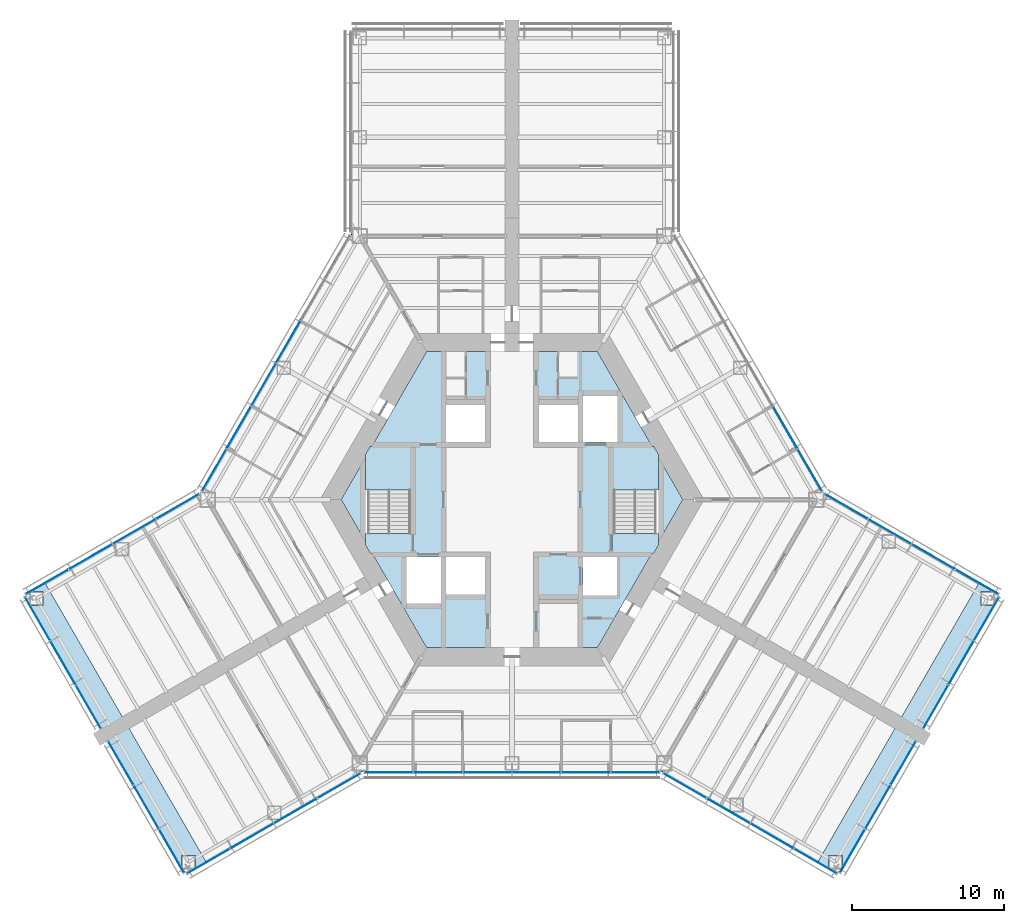
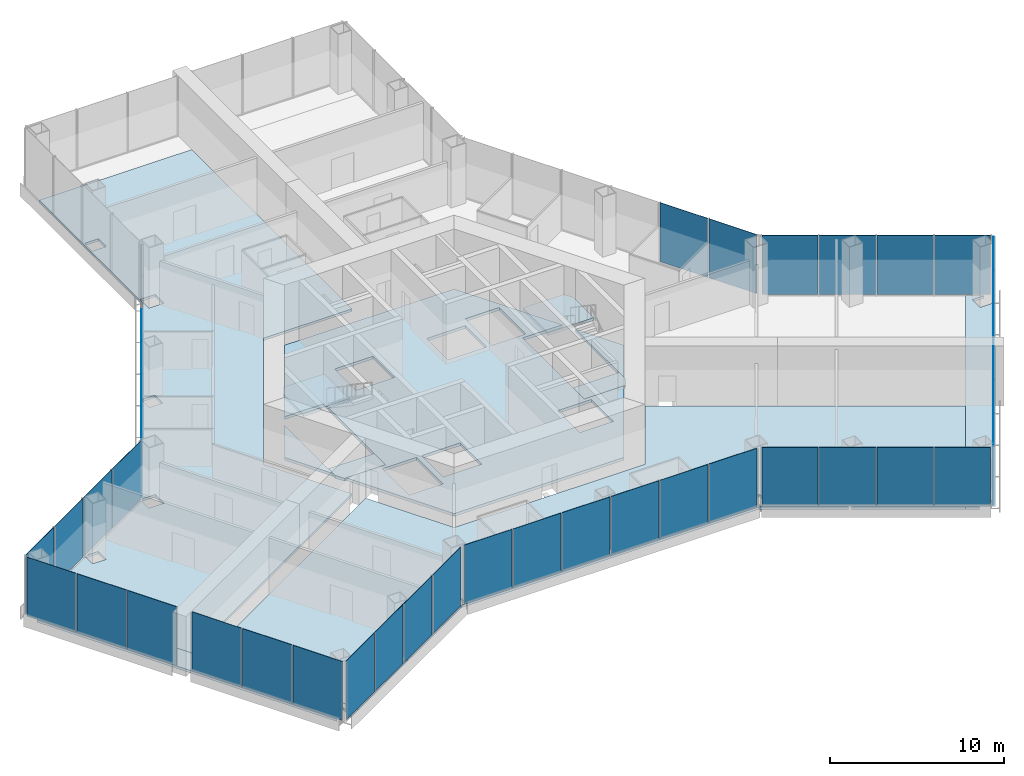
# One storey, part 9 of 17: 40 plates, 11 slabs, 13 elements without a shape of their own.
"""IFC4 building model written with IfcOpenShell, lengths in metres."""

from ifc_helpers import new_model, si_unit, direction, frame, origin, origin_2d, place, context, subcontext, project, spatial, polyline, rectangle, outline, extrude, material, layer, layer_set, type_object, element, aggregate, save


model = new_model("IFC4")

# Units and contexts
model_context = context("Model", 3, precision=1e-05, world=origin(), true_north=direction((0.0, 1.0)))
body_context = subcontext(model_context, "Body", "Model", "MODEL_VIEW")
ifc_project = project(units=[si_unit("LENGTHUNIT", "METRE"), si_unit("AREAUNIT", "SQUARE_METRE"), si_unit("VOLUMEUNIT", "CUBIC_METRE"), si_unit("PLANEANGLEUNIT", "RADIAN"), si_unit("MASSUNIT", "GRAM", prefix="KILO")], contexts=[model_context])

# Site, building, storey
site_placement = place(None, origin())
site = spatial("IfcSite", under=ifc_project, at=site_placement, CompositionType="ELEMENT")
building_placement = place(site_placement, origin())
building = spatial("IfcBuilding", under=site, at=building_placement, Name="Kasaneha Research Tower", CompositionType="ELEMENT")
storey_placement = place(building_placement, frame((0.0, 0.0, 47.800048828125)))
storey = spatial("IfcBuildingStorey", under=building, at=storey_placement, Name="L12", CompositionType="ELEMENT", Elevation=47.800048828125)

# Curtain wall, plates
ifc_material_1 = material(Name="Glass and aluminium", Category="aluminium")
curtain_wall_type = type_object("IfcCurtainWallType", Name="Dry laboratory curtain wall", PredefinedType="USERDEFINED", material=ifc_material_1)
curtain_wall_1_placement = place(storey_placement, origin())
curtain_wall_1 = element("IfcCurtainWall", 1, at=curtain_wall_1_placement, inside=storey, type_object=curtain_wall_type, Name="CW-L2 L12 run 01a", ObjectType="UNITISED CURTAIN WALL", PredefinedType="USERDEFINED")
ifc_material_2 = material(Name="Laminated double glazing", Category="glass")
ifc_layer_1 = layer(ifc_material_2, 0.028076171875)
ifc_layer_set_1 = layer_set([ifc_layer_1], Name="CW-L2 glazed panel")
plate_type = type_object("IfcPlateType", Name="CW-L2 glazed panel", PredefinedType="CURTAIN_PANEL", material=ifc_layer_set_1)
plate_1_placement = place(storey_placement, frame((-19.944091796875, -23.754638671875, 0.06494140625), z_axis=(0.0, 0.0, 1.0), x_axis=(0.866025411464, 0.499999986699, 0.0)))
plate_1 = element("IfcPlate", 2, at=plate_1_placement, type_object=plate_type, Name="CW-L2 panel 1", PredefinedType="CURTAIN_PANEL", context=body_context, shape_type="SweptSolid", body=[
    extrude(rectangle(XDim=3.21240234375, YDim=0.028076171875, at=origin_2d()), origin(), (0.0, 0.0, 1.0), 4.135009765625),
])
plate_2_placement = place(storey_placement, frame((-17.091796875, -22.107666015625, 0.06494140625), z_axis=(0.0, 0.0, 1.0), x_axis=(0.866025411464, 0.499999986699, 0.0)))
plate_2 = element("IfcPlate", 3, at=plate_2_placement, type_object=plate_type, Name="CW-L2 panel 2", PredefinedType="CURTAIN_PANEL", context=body_context, shape_type="SweptSolid", body=[
    extrude(rectangle(XDim=3.244873046875, YDim=0.028076171875, at=origin_2d()), origin(), (0.0, 0.0, 1.0), 4.135009765625),
])
plate_3_placement = place(storey_placement, frame((-14.225341796875, -20.452880859375, 0.06494140625), z_axis=(0.0, 0.0, 1.0), x_axis=(0.866025411464, 0.499999986699, 0.0)))
plate_3 = element("IfcPlate", 4, at=plate_3_placement, type_object=plate_type, Name="CW-L2 panel 3", PredefinedType="CURTAIN_PANEL", context=body_context, shape_type="SweptSolid", body=[
    extrude(rectangle(XDim=3.244873046875, YDim=0.028076171875, at=origin_2d()), origin(), (0.0, 0.0, 1.0), 4.135009765625),
])
plate_4_placement = place(storey_placement, frame((-11.373046875, -18.80615234375, 0.06494140625), z_axis=(0.0, 0.0, 1.0), x_axis=(0.866025411464, 0.499999986699, 0.0)))
plate_4 = element("IfcPlate", 5, at=plate_4_placement, type_object=plate_type, Name="CW-L2 panel 4", PredefinedType="CURTAIN_PANEL", context=body_context, shape_type="SweptSolid", body=[
    extrude(rectangle(XDim=3.21240234375, YDim=0.028076171875, at=origin_2d()), origin(), (0.0, 0.0, 1.0), 4.135009765625),
])
aggregate(curtain_wall_1, [plate_1, plate_2, plate_3, plate_4])

curtain_wall_2_placement = place(storey_placement, origin())
curtain_wall_2 = element("IfcCurtainWall", 6, at=curtain_wall_2_placement, inside=storey, type_object=curtain_wall_type, Name="CW-L2 L12 run 02a", ObjectType="UNITISED CURTAIN WALL", PredefinedType="USERDEFINED")
plate_5_placement = place(storey_placement, frame((-8.099853515625, -17.92041015625, 0.06494140625), z_axis=(0.0, 0.0, 1.0), x_axis=(1.0, 0.0, 0.0)))
plate_5 = element("IfcPlate", 7, at=plate_5_placement, type_object=plate_type, Name="CW-L2 panel 1", PredefinedType="CURTAIN_PANEL", context=body_context, shape_type="SweptSolid", body=[
    extrude(rectangle(XDim=3.14892578125, YDim=0.028076171875, at=origin_2d()), origin(), (0.0, 0.0, 1.0), 4.135009765625),
])
plate_6_placement = place(storey_placement, frame((-4.86962890625, -17.92041015625, 0.06494140625), z_axis=(0.0, 0.0, 1.0), x_axis=(1.0, 0.0, 0.0)))
plate_6 = element("IfcPlate", 8, at=plate_6_placement, type_object=plate_type, Name="CW-L2 panel 2", PredefinedType="CURTAIN_PANEL", context=body_context, shape_type="SweptSolid", body=[
    extrude(rectangle(XDim=3.181396484375, YDim=0.028076171875, at=origin_2d()), origin(), (0.0, 0.0, 1.0), 4.135009765625),
])
plate_7_placement = place(storey_placement, frame((-1.623291015625, -17.92041015625, 0.06494140625), z_axis=(0.0, 0.0, 1.0), x_axis=(1.0, 0.0, 0.0)))
plate_7 = element("IfcPlate", 9, at=plate_7_placement, type_object=plate_type, Name="CW-L2 panel 3", PredefinedType="CURTAIN_PANEL", context=body_context, shape_type="SweptSolid", body=[
    extrude(rectangle(XDim=3.181396484375, YDim=0.028076171875, at=origin_2d()), origin(), (0.0, 0.0, 1.0), 4.135009765625),
])
plate_8_placement = place(storey_placement, frame((1.623291015625, -17.92041015625, 0.06494140625), z_axis=(0.0, 0.0, 1.0), x_axis=(1.0, 0.0, 0.0)))
plate_8 = element("IfcPlate", 10, at=plate_8_placement, type_object=plate_type, Name="CW-L2 panel 4", PredefinedType="CURTAIN_PANEL", context=body_context, shape_type="SweptSolid", body=[
    extrude(rectangle(XDim=3.181396484375, YDim=0.028076171875, at=origin_2d()), origin(), (0.0, 0.0, 1.0), 4.135009765625),
])
plate_9_placement = place(storey_placement, frame((4.86962890625, -17.92041015625, 0.06494140625), z_axis=(0.0, 0.0, 1.0), x_axis=(1.0, 0.0, 0.0)))
plate_9 = element("IfcPlate", 11, at=plate_9_placement, type_object=plate_type, Name="CW-L2 panel 5", PredefinedType="CURTAIN_PANEL", context=body_context, shape_type="SweptSolid", body=[
    extrude(rectangle(XDim=3.181396484375, YDim=0.028076171875, at=origin_2d()), origin(), (0.0, 0.0, 1.0), 4.135009765625),
])
plate_10_placement = place(storey_placement, frame((8.099853515625, -17.92041015625, 0.06494140625), z_axis=(0.0, 0.0, 1.0), x_axis=(1.0, 0.0, 0.0)))
plate_10 = element("IfcPlate", 12, at=plate_10_placement, type_object=plate_type, Name="CW-L2 panel 6", PredefinedType="CURTAIN_PANEL", context=body_context, shape_type="SweptSolid", body=[
    extrude(rectangle(XDim=3.14892578125, YDim=0.028076171875, at=origin_2d()), origin(), (0.0, 0.0, 1.0), 4.135009765625),
])
aggregate(curtain_wall_2, [plate_5, plate_6, plate_7, plate_8, plate_9, plate_10])

curtain_wall_3_placement = place(storey_placement, origin())
curtain_wall_3 = element("IfcCurtainWall", 13, at=curtain_wall_3_placement, inside=storey, type_object=curtain_wall_type, Name="CW-L2 L12 run 03a", ObjectType="UNITISED CURTAIN WALL", PredefinedType="USERDEFINED")
plate_11_placement = place(storey_placement, frame((11.373046875, -18.80615234375, 0.06494140625), z_axis=(0.0, 0.0, 1.0), x_axis=(0.866025411464, -0.499999986699, 0.0)))
plate_11 = element("IfcPlate", 14, at=plate_11_placement, type_object=plate_type, Name="CW-L2 panel 1", PredefinedType="CURTAIN_PANEL", context=body_context, shape_type="SweptSolid", body=[
    extrude(rectangle(XDim=3.21240234375, YDim=0.028076171875, at=origin_2d()), origin(), (0.0, 0.0, 1.0), 4.135009765625),
])
plate_12_placement = place(storey_placement, frame((14.225341796875, -20.452880859375, 0.06494140625), z_axis=(0.0, 0.0, 1.0), x_axis=(0.866025411464, -0.499999986699, 0.0)))
plate_12 = element("IfcPlate", 15, at=plate_12_placement, type_object=plate_type, Name="CW-L2 panel 2", PredefinedType="CURTAIN_PANEL", context=body_context, shape_type="SweptSolid", body=[
    extrude(rectangle(XDim=3.244873046875, YDim=0.028076171875, at=origin_2d()), origin(), (0.0, 0.0, 1.0), 4.135009765625),
])
plate_13_placement = place(storey_placement, frame((17.091796875, -22.107666015625, 0.06494140625), z_axis=(0.0, 0.0, 1.0), x_axis=(0.866025411464, -0.499999986699, 0.0)))
plate_13 = element("IfcPlate", 16, at=plate_13_placement, type_object=plate_type, Name="CW-L2 panel 3", PredefinedType="CURTAIN_PANEL", context=body_context, shape_type="SweptSolid", body=[
    extrude(rectangle(XDim=3.244873046875, YDim=0.028076171875, at=origin_2d()), origin(), (0.0, 0.0, 1.0), 4.135009765625),
])
plate_14_placement = place(storey_placement, frame((19.944091796875, -23.754638671875, 0.06494140625), z_axis=(0.0, 0.0, 1.0), x_axis=(0.866025411464, -0.499999986699, 0.0)))
plate_14 = element("IfcPlate", 17, at=plate_14_placement, type_object=plate_type, Name="CW-L2 panel 4", PredefinedType="CURTAIN_PANEL", context=body_context, shape_type="SweptSolid", body=[
    extrude(rectangle(XDim=3.21240234375, YDim=0.028076171875, at=origin_2d()), origin(), (0.0, 0.0, 1.0), 4.135009765625),
])
aggregate(curtain_wall_3, [plate_11, plate_12, plate_13, plate_14])

curtain_wall_4_placement = place(storey_placement, origin())
curtain_wall_4 = element("IfcCurtainWall", 18, at=curtain_wall_4_placement, inside=storey, type_object=curtain_wall_type, Name="CW-L2 L12 run 04a", ObjectType="UNITISED CURTAIN WALL", PredefinedType="USERDEFINED")
plate_15_placement = place(storey_placement, frame((22.37353515625, -23.0888671875, 0.06494140625), z_axis=(0.0, 0.0, 1.0), x_axis=(0.500000011442, 0.866025397178, 0.0)))
plate_15 = element("IfcPlate", 19, at=plate_15_placement, type_object=plate_type, Name="CW-L2 panel 1", PredefinedType="CURTAIN_PANEL", context=body_context, shape_type="SweptSolid", body=[
    extrude(rectangle(XDim=3.25244140625, YDim=0.028076171875, at=origin_2d()), origin(), (0.0, 0.0, 1.0), 4.135009765625),
])
plate_16_placement = place(storey_placement, frame((24.04052734375, -20.20166015625, 0.06494140625), z_axis=(0.0, 0.0, 1.0), x_axis=(0.500000011442, 0.866025397178, 0.0)))
plate_16 = element("IfcPlate", 20, at=plate_16_placement, type_object=plate_type, Name="CW-L2 panel 2", PredefinedType="CURTAIN_PANEL", context=body_context, shape_type="SweptSolid", body=[
    extrude(rectangle(XDim=3.284912109375, YDim=0.028076171875, at=origin_2d()), origin(), (0.0, 0.0, 1.0), 4.135009765625),
])
plate_17_placement = place(storey_placement, frame((25.707275390625, -17.314697265625, 0.06494140625), z_axis=(0.0, 0.0, 1.0), x_axis=(0.500000011442, 0.866025397178, 0.0)))
plate_17 = element("IfcPlate", 21, at=plate_17_placement, type_object=plate_type, Name="CW-L2 panel 3", PredefinedType="CURTAIN_PANEL", context=body_context, shape_type="SweptSolid", body=[
    extrude(rectangle(XDim=3.25244140625, YDim=0.028076171875, at=origin_2d()), origin(), (0.0, 0.0, 1.0), 4.135009765625),
])
aggregate(curtain_wall_4, [plate_15, plate_16, plate_17])

curtain_wall_5_placement = place(storey_placement, origin())
curtain_wall_5 = element("IfcCurtainWall", 22, at=curtain_wall_5_placement, inside=storey, type_object=curtain_wall_type, Name="CW-L2 L12 run 05a", ObjectType="UNITISED CURTAIN WALL", PredefinedType="USERDEFINED")
plate_18_placement = place(storey_placement, frame((27.8486328125, -13.60595703125, 0.06494140625), z_axis=(0.0, 0.0, 1.0), x_axis=(0.500000011442, 0.866025397178, 0.0)))
plate_18 = element("IfcPlate", 23, at=plate_18_placement, type_object=plate_type, Name="CW-L2 panel 1", PredefinedType="CURTAIN_PANEL", context=body_context, shape_type="SweptSolid", body=[
    extrude(rectangle(XDim=3.25244140625, YDim=0.028076171875, at=origin_2d()), origin(), (0.0, 0.0, 1.0), 4.135009765625),
])
plate_19_placement = place(storey_placement, frame((29.515380859375, -10.71875, 0.06494140625), z_axis=(0.0, 0.0, 1.0), x_axis=(0.500000011442, 0.866025397178, 0.0)))
plate_19 = element("IfcPlate", 24, at=plate_19_placement, type_object=plate_type, Name="CW-L2 panel 2", PredefinedType="CURTAIN_PANEL", context=body_context, shape_type="SweptSolid", body=[
    extrude(rectangle(XDim=3.284912109375, YDim=0.028076171875, at=origin_2d()), origin(), (0.0, 0.0, 1.0), 4.135009765625),
])
plate_20_placement = place(storey_placement, frame((31.182373046875, -7.83154296875, 0.06494140625), z_axis=(0.0, 0.0, 1.0), x_axis=(0.500000011442, 0.866025397178, 0.0)))
plate_20 = element("IfcPlate", 25, at=plate_20_placement, type_object=plate_type, Name="CW-L2 panel 3", PredefinedType="CURTAIN_PANEL", context=body_context, shape_type="SweptSolid", body=[
    extrude(rectangle(XDim=3.25244140625, YDim=0.028076171875, at=origin_2d()), origin(), (0.0, 0.0, 1.0), 4.135009765625),
])
aggregate(curtain_wall_5, [plate_18, plate_19, plate_20])

curtain_wall_6_placement = place(storey_placement, origin())
curtain_wall_6 = element("IfcCurtainWall", 26, at=curtain_wall_6_placement, inside=storey, type_object=curtain_wall_type, Name="CW-L2 L12 run 06a", ObjectType="UNITISED CURTAIN WALL", PredefinedType="USERDEFINED")
plate_21_placement = place(storey_placement, frame((30.544189453125, -5.394775390625, 0.06494140625), z_axis=(0.0, 0.0, 1.0), x_axis=(-0.866025411464, 0.499999986699, 0.0)))
plate_21 = element("IfcPlate", 27, at=plate_21_placement, type_object=plate_type, Name="CW-L2 panel 1", PredefinedType="CURTAIN_PANEL", context=body_context, shape_type="SweptSolid", body=[
    extrude(rectangle(XDim=3.21240234375, YDim=0.028076171875, at=origin_2d()), origin(), (0.0, 0.0, 1.0), 4.135009765625),
])
plate_22_placement = place(storey_placement, frame((27.69189453125, -3.748046875, 0.06494140625), z_axis=(0.0, 0.0, 1.0), x_axis=(-0.866025411464, 0.499999986699, 0.0)))
plate_22 = element("IfcPlate", 28, at=plate_22_placement, type_object=plate_type, Name="CW-L2 panel 2", PredefinedType="CURTAIN_PANEL", context=body_context, shape_type="SweptSolid", body=[
    extrude(rectangle(XDim=3.244873046875, YDim=0.028076171875, at=origin_2d()), origin(), (0.0, 0.0, 1.0), 4.135009765625),
])
plate_23_placement = place(storey_placement, frame((24.825439453125, -2.093017578125, 0.06494140625), z_axis=(0.0, 0.0, 1.0), x_axis=(-0.866025411464, 0.499999986699, 0.0)))
plate_23 = element("IfcPlate", 29, at=plate_23_placement, type_object=plate_type, Name="CW-L2 panel 3", PredefinedType="CURTAIN_PANEL", context=body_context, shape_type="SweptSolid", body=[
    extrude(rectangle(XDim=3.244873046875, YDim=0.028076171875, at=origin_2d()), origin(), (0.0, 0.0, 1.0), 4.135009765625),
])
plate_24_placement = place(storey_placement, frame((21.97314453125, -0.4462890625, 0.06494140625), z_axis=(0.0, 0.0, 1.0), x_axis=(-0.866025411464, 0.499999986699, 0.0)))
plate_24 = element("IfcPlate", 30, at=plate_24_placement, type_object=plate_type, Name="CW-L2 panel 4", PredefinedType="CURTAIN_PANEL", context=body_context, shape_type="SweptSolid", body=[
    extrude(rectangle(XDim=3.21240234375, YDim=0.028076171875, at=origin_2d()), origin(), (0.0, 0.0, 1.0), 4.135009765625),
])
aggregate(curtain_wall_6, [plate_21, plate_22, plate_23, plate_24])

curtain_wall_7_placement = place(storey_placement, origin())
curtain_wall_7 = element("IfcCurtainWall", 31, at=curtain_wall_7_placement, inside=storey, type_object=curtain_wall_type, Name="CW-L2 L12 run 07a", ObjectType="UNITISED CURTAIN WALL", PredefinedType="USERDEFINED")
plate_25_placement = place(storey_placement, frame((19.569580078125, 1.945556640625, 0.06494140625), z_axis=(0.0, 0.0, 1.0), x_axis=(-0.49999996188, 0.866025425793, 0.0)))
plate_25 = element("IfcPlate", 32, at=plate_25_placement, type_object=plate_type, Name="CW-L2 panel 1", PredefinedType="CURTAIN_PANEL", context=body_context, shape_type="SweptSolid", body=[
    extrude(rectangle(XDim=3.14892578125, YDim=0.028076171875, at=origin_2d()), origin(), (0.0, 0.0, 1.0), 4.135009765625),
])
plate_26_placement = place(storey_placement, frame((17.954345703125, 4.7431640625, 0.06494140625), z_axis=(0.0, 0.0, 1.0), x_axis=(-0.49999996188, 0.866025425793, 0.0)))
plate_26 = element("IfcPlate", 33, at=plate_26_placement, type_object=plate_type, Name="CW-L2 panel 2", PredefinedType="CURTAIN_PANEL", context=body_context, shape_type="SweptSolid", body=[
    extrude(rectangle(XDim=3.181396484375, YDim=0.028076171875, at=origin_2d()), origin(), (0.0, 0.0, 1.0), 4.135009765625),
])
aggregate(curtain_wall_7, [plate_25, plate_26])

curtain_wall_8_placement = place(storey_placement, origin())
curtain_wall_8 = element("IfcCurtainWall", 34, at=curtain_wall_8_placement, inside=storey, type_object=curtain_wall_type, Name="CW-L2 L12 run 12a", ObjectType="UNITISED CURTAIN WALL", PredefinedType="USERDEFINED")
plate_27_placement = place(storey_placement, frame((-14.7080078125, 10.365966796875, 0.06494140625), z_axis=(0.0, 0.0, 1.0), x_axis=(-0.49999996188, -0.866025425793, 0.0)))
plate_27 = element("IfcPlate", 35, at=plate_27_placement, type_object=plate_type, Name="CW-L2 panel 3", PredefinedType="CURTAIN_PANEL", context=body_context, shape_type="SweptSolid", body=[
    extrude(rectangle(XDim=3.181396484375, YDim=0.028076171875, at=origin_2d()), origin(), (0.0, 0.0, 1.0), 4.135009765625),
])
plate_28_placement = place(storey_placement, frame((-16.331298828125, 7.554443359375, 0.06494140625), z_axis=(0.0, 0.0, 1.0), x_axis=(-0.49999996188, -0.866025425793, 0.0)))
plate_28 = element("IfcPlate", 36, at=plate_28_placement, type_object=plate_type, Name="CW-L2 panel 4", PredefinedType="CURTAIN_PANEL", context=body_context, shape_type="SweptSolid", body=[
    extrude(rectangle(XDim=3.181396484375, YDim=0.028076171875, at=origin_2d()), origin(), (0.0, 0.0, 1.0), 4.135009765625),
])
plate_29_placement = place(storey_placement, frame((-17.954345703125, 4.7431640625, 0.06494140625), z_axis=(0.0, 0.0, 1.0), x_axis=(-0.49999996188, -0.866025425793, 0.0)))
plate_29 = element("IfcPlate", 37, at=plate_29_placement, type_object=plate_type, Name="CW-L2 panel 5", PredefinedType="CURTAIN_PANEL", context=body_context, shape_type="SweptSolid", body=[
    extrude(rectangle(XDim=3.181396484375, YDim=0.028076171875, at=origin_2d()), origin(), (0.0, 0.0, 1.0), 4.135009765625),
])
plate_30_placement = place(storey_placement, frame((-19.569580078125, 1.945556640625, 0.06494140625), z_axis=(0.0, 0.0, 1.0), x_axis=(-0.49999996188, -0.866025425793, 0.0)))
plate_30 = element("IfcPlate", 38, at=plate_30_placement, type_object=plate_type, Name="CW-L2 panel 6", PredefinedType="CURTAIN_PANEL", context=body_context, shape_type="SweptSolid", body=[
    extrude(rectangle(XDim=3.14892578125, YDim=0.028076171875, at=origin_2d()), origin(), (0.0, 0.0, 1.0), 4.135009765625),
])
aggregate(curtain_wall_8, [plate_27, plate_28, plate_29, plate_30])

curtain_wall_9_placement = place(storey_placement, origin())
curtain_wall_9 = element("IfcCurtainWall", 39, at=curtain_wall_9_placement, inside=storey, type_object=curtain_wall_type, Name="CW-L2 L12 run 13a", ObjectType="UNITISED CURTAIN WALL", PredefinedType="USERDEFINED")
plate_31_placement = place(storey_placement, frame((-21.97314453125, -0.4462890625, 0.06494140625), z_axis=(0.0, 0.0, 1.0), x_axis=(-0.866025411464, -0.499999986699, 0.0)))
plate_31 = element("IfcPlate", 40, at=plate_31_placement, type_object=plate_type, Name="CW-L2 panel 1", PredefinedType="CURTAIN_PANEL", context=body_context, shape_type="SweptSolid", body=[
    extrude(rectangle(XDim=3.21240234375, YDim=0.028076171875, at=origin_2d()), origin(), (0.0, 0.0, 1.0), 4.135009765625),
])
plate_32_placement = place(storey_placement, frame((-24.825439453125, -2.093017578125, 0.06494140625), z_axis=(0.0, 0.0, 1.0), x_axis=(-0.866025411464, -0.499999986699, 0.0)))
plate_32 = element("IfcPlate", 41, at=plate_32_placement, type_object=plate_type, Name="CW-L2 panel 2", PredefinedType="CURTAIN_PANEL", context=body_context, shape_type="SweptSolid", body=[
    extrude(rectangle(XDim=3.244873046875, YDim=0.028076171875, at=origin_2d()), origin(), (0.0, 0.0, 1.0), 4.135009765625),
])
plate_33_placement = place(storey_placement, frame((-27.69189453125, -3.748046875, 0.06494140625), z_axis=(0.0, 0.0, 1.0), x_axis=(-0.866025411464, -0.499999986699, 0.0)))
plate_33 = element("IfcPlate", 42, at=plate_33_placement, type_object=plate_type, Name="CW-L2 panel 3", PredefinedType="CURTAIN_PANEL", context=body_context, shape_type="SweptSolid", body=[
    extrude(rectangle(XDim=3.244873046875, YDim=0.028076171875, at=origin_2d()), origin(), (0.0, 0.0, 1.0), 4.135009765625),
])
plate_34_placement = place(storey_placement, frame((-30.544189453125, -5.394775390625, 0.06494140625), z_axis=(0.0, 0.0, 1.0), x_axis=(-0.866025411464, -0.499999986699, 0.0)))
plate_34 = element("IfcPlate", 43, at=plate_34_placement, type_object=plate_type, Name="CW-L2 panel 4", PredefinedType="CURTAIN_PANEL", context=body_context, shape_type="SweptSolid", body=[
    extrude(rectangle(XDim=3.21240234375, YDim=0.028076171875, at=origin_2d()), origin(), (0.0, 0.0, 1.0), 4.135009765625),
])
aggregate(curtain_wall_9, [plate_31, plate_32, plate_33, plate_34])

curtain_wall_10_placement = place(storey_placement, origin())
curtain_wall_10 = element("IfcCurtainWall", 44, at=curtain_wall_10_placement, inside=storey, type_object=curtain_wall_type, Name="CW-L2 L12 run 14a", ObjectType="UNITISED CURTAIN WALL", PredefinedType="USERDEFINED")
plate_35_placement = place(storey_placement, frame((-31.182373046875, -7.83154296875, 0.06494140625), z_axis=(0.0, 0.0, 1.0), x_axis=(0.500000011442, -0.866025397178, 0.0)))
plate_35 = element("IfcPlate", 45, at=plate_35_placement, type_object=plate_type, Name="CW-L2 panel 1", PredefinedType="CURTAIN_PANEL", context=body_context, shape_type="SweptSolid", body=[
    extrude(rectangle(XDim=3.25244140625, YDim=0.028076171875, at=origin_2d()), origin(), (0.0, 0.0, 1.0), 4.135009765625),
])
plate_36_placement = place(storey_placement, frame((-29.515380859375, -10.71875, 0.06494140625), z_axis=(0.0, 0.0, 1.0), x_axis=(0.500000011442, -0.866025397178, 0.0)))
plate_36 = element("IfcPlate", 46, at=plate_36_placement, type_object=plate_type, Name="CW-L2 panel 2", PredefinedType="CURTAIN_PANEL", context=body_context, shape_type="SweptSolid", body=[
    extrude(rectangle(XDim=3.284912109375, YDim=0.028076171875, at=origin_2d()), origin(), (0.0, 0.0, 1.0), 4.135009765625),
])
plate_37_placement = place(storey_placement, frame((-27.8486328125, -13.60595703125, 0.06494140625), z_axis=(0.0, 0.0, 1.0), x_axis=(0.500000011442, -0.866025397178, 0.0)))
plate_37 = element("IfcPlate", 47, at=plate_37_placement, type_object=plate_type, Name="CW-L2 panel 3", PredefinedType="CURTAIN_PANEL", context=body_context, shape_type="SweptSolid", body=[
    extrude(rectangle(XDim=3.25244140625, YDim=0.028076171875, at=origin_2d()), origin(), (0.0, 0.0, 1.0), 4.135009765625),
])
aggregate(curtain_wall_10, [plate_35, plate_36, plate_37])

curtain_wall_11_placement = place(storey_placement, origin())
curtain_wall_11 = element("IfcCurtainWall", 48, at=curtain_wall_11_placement, inside=storey, type_object=curtain_wall_type, Name="CW-L2 L12 run 15a", ObjectType="UNITISED CURTAIN WALL", PredefinedType="USERDEFINED")
plate_38_placement = place(storey_placement, frame((-25.707275390625, -17.314697265625, 0.06494140625), z_axis=(0.0, 0.0, 1.0), x_axis=(0.500000011442, -0.866025397178, 0.0)))
plate_38 = element("IfcPlate", 49, at=plate_38_placement, type_object=plate_type, Name="CW-L2 panel 1", PredefinedType="CURTAIN_PANEL", context=body_context, shape_type="SweptSolid", body=[
    extrude(rectangle(XDim=3.25244140625, YDim=0.028076171875, at=origin_2d()), origin(), (0.0, 0.0, 1.0), 4.135009765625),
])
plate_39_placement = place(storey_placement, frame((-24.04052734375, -20.20166015625, 0.06494140625), z_axis=(0.0, 0.0, 1.0), x_axis=(0.500000011442, -0.866025397178, 0.0)))
plate_39 = element("IfcPlate", 50, at=plate_39_placement, type_object=plate_type, Name="CW-L2 panel 2", PredefinedType="CURTAIN_PANEL", context=body_context, shape_type="SweptSolid", body=[
    extrude(rectangle(XDim=3.284912109375, YDim=0.028076171875, at=origin_2d()), origin(), (0.0, 0.0, 1.0), 4.135009765625),
])
plate_40_placement = place(storey_placement, frame((-22.37353515625, -23.0888671875, 0.06494140625), z_axis=(0.0, 0.0, 1.0), x_axis=(0.500000011442, -0.866025397178, 0.0)))
plate_40 = element("IfcPlate", 51, at=plate_40_placement, type_object=plate_type, Name="CW-L2 panel 3", PredefinedType="CURTAIN_PANEL", context=body_context, shape_type="SweptSolid", body=[
    extrude(rectangle(XDim=3.25244140625, YDim=0.028076171875, at=origin_2d()), origin(), (0.0, 0.0, 1.0), 4.135009765625),
])
aggregate(curtain_wall_11, [plate_38, plate_39, plate_40])

# Slabs
ifc_material_3 = material(Name="Concrete Fc24", Category="concrete")
ifc_layer_2 = layer(ifc_material_3, 0.199951171875)
ifc_layer_set_2 = layer_set([ifc_layer_2], Name="Core floor slab 200")
slab_type_1 = type_object("IfcSlabType", Name="Core floor slab 200", PredefinedType="FLOOR", material=ifc_layer_set_2)
slab_1_placement = place(storey_placement, frame((0.0, 0.0, -0.199951171875)))
element("IfcSlab", 52, at=slab_1_placement, inside=storey, type_object=slab_type_1, Name="Core slab L12", PredefinedType="FLOOR", context=body_context, shape_type="SweptSolid", body=[
    extrude(outline(polyline([(-11.2294921875, 0.0), (-9.625, 2.779052734375), (-9.625, -2.779052734375), (-11.2294921875, 0.0)])), origin(), (0.0, 0.0, 1.0), 0.199951171875),
])
slab_2_placement = place(storey_placement, frame((0.0, 0.0, -0.199951171875)))
element("IfcSlab", 53, at=slab_2_placement, inside=storey, type_object=slab_type_1, Name="Core slab L12", PredefinedType="FLOOR", context=body_context, shape_type="SweptSolid", body=[
    extrude(outline(polyline([(-5.61474609375, 9.72509765625), (5.61474609375, 9.72509765625), (9.1943359375, 3.52490234375), (6.574951171875, 3.52490234375), (6.574951171875, -3.52490234375), (9.1943359375, -3.52490234375), (5.61474609375, -9.72509765625), (-5.61474609375, -9.72509765625), (-9.1943359375, -3.52490234375), (-6.574951171875, -3.52490234375), (-6.574951171875, 3.52490234375), (-9.1943359375, 3.52490234375), (-5.61474609375, 9.72509765625)]), holes=[polyline([(-6.925048828125, -3.77490234375), (-6.925048828125, -6.824951171875), (-4.675048828125, -6.824951171875), (-4.675048828125, -3.77490234375), (-6.925048828125, -3.77490234375)]), polyline([(4.675048828125, -3.77490234375), (4.675048828125, -6.300048828125), (6.89990234375, -6.300048828125), (6.89990234375, -3.77490234375), (4.675048828125, -3.77490234375)]), polyline([(-4.324951171875, -3.77490234375), (-4.324951171875, -6.22509765625), (-1.77490234375, -6.22509765625), (-1.77490234375, -3.77490234375), (-4.324951171875, -3.77490234375)]), polyline([(-4.324951171875, 6.22509765625), (-4.324951171875, 3.77490234375), (-1.77490234375, 3.77490234375), (-1.77490234375, 6.22509765625), (-4.324951171875, 6.22509765625)]), polyline([(1.77490234375, 6.22509765625), (1.77490234375, 3.77490234375), (4.324951171875, 3.77490234375), (4.324951171875, 6.22509765625), (1.77490234375, 6.22509765625)]), polyline([(4.675048828125, 6.824951171875), (4.675048828125, 3.77490234375), (6.925048828125, 3.77490234375), (6.925048828125, 6.824951171875), (4.675048828125, 6.824951171875)])]), origin(), (0.0, 0.0, 1.0), 0.199951171875),
])
slab_3_placement = place(storey_placement, frame((0.0, 0.0, -0.199951171875)))
element("IfcSlab", 54, at=slab_3_placement, inside=storey, type_object=slab_type_1, Name="Core slab L12", PredefinedType="FLOOR", context=body_context, shape_type="SweptSolid", body=[
    extrude(outline(polyline([(11.2294921875, 0.0), (9.625, -2.779052734375), (9.625, 2.779052734375), (11.2294921875, 0.0)])), origin(), (0.0, 0.0, 1.0), 0.199951171875),
])
ifc_material_4 = material(Name="Concrete Fc24", Category="concrete")
ifc_layer_3 = layer(ifc_material_4, 0.169921875)
ifc_layer_set_3 = layer_set([ifc_layer_3], Name="Floor slab 170")
slab_type_2 = type_object("IfcSlabType", Name="Floor slab 170", PredefinedType="FLOOR", material=ifc_layer_set_3)
slab_4_placement = place(storey_placement, frame((0.0, 0.0, -0.170166015625)))
element("IfcSlab", 55, at=slab_4_placement, inside=storey, type_object=slab_type_2, Name="Floor slab L12 1", PredefinedType="FLOOR", context=body_context, shape_type="SweptSolid", body=[
    extrude(outline(polyline([(-25.167236328125, -15.050048828125), (-25.15869140625, -15.044921875), (-20.108642578125, -23.791748046875), (-20.808349609375, -24.19580078125), (-20.808349609375, -23.37060546875), (-21.708251953125, -23.37060546875), (-21.708251953125, -24.14111328125), (-31.633544921875, -6.949951171875), (-30.808349609375, -6.949951171875), (-30.808349609375, -6.050048828125), (-31.578857421875, -6.050048828125), (-30.65869140625, -5.518798828125), (-25.608642578125, -14.265625), (-25.6171875, -14.2705078125), (-25.167236328125, -15.050048828125)])), origin(), (0.0, 0.0, 1.0), 0.170166015625),
])
slab_5_placement = place(storey_placement, frame((0.0, 0.0, -0.170166015625)))
element("IfcSlab", 56, at=slab_5_placement, inside=storey, type_object=slab_type_2, Name="Floor slab L12 2", PredefinedType="FLOOR", context=body_context, shape_type="SweptSolid", body=[
    extrude(outline(polyline([(-25.17919921875, -2.800048828125), (-25.94970703125, -2.800048828125), (-20.5, 0.346435546875), (-20.5, -0.5), (-19.5, -0.5), (-19.5, 0.5), (-20.346435546875, 0.5), (-15.449951171875, 8.980712890625), (-15.449951171875, 8.210205078125), (-14.550048828125, 8.210205078125), (-14.550048828125, 9.1103515625), (-15.375244140625, 9.1103515625), (-10.550048828125, 17.4677734375), (-10.550048828125, 29.310546875), (-0.449951171875, 29.310546875), (-0.449951171875, 10.925048828125), (-6.3076171875, 10.925048828125), (-12.614990234375, 0.0), (-9.686279296875, -5.07275390625), (-25.608642578125, -14.265625), (-30.65869140625, -5.518798828125), (-26.0791015625, -2.874755859375), (-26.0791015625, -3.699951171875), (-25.17919921875, -3.699951171875), (-25.17919921875, -2.800048828125)]), holes=[polyline([(-9.5, 16.820556640625), (-9.5, 17.820556640625), (-10.5, 17.820556640625), (-10.5, 16.820556640625), (-9.5, 16.820556640625)]), polyline([(-10.449951171875, 23.37060546875), (-9.550048828125, 23.37060546875), (-9.550048828125, 24.2705078125), (-10.449951171875, 24.2705078125), (-10.449951171875, 23.37060546875)])]), origin(), (0.0, 0.0, 1.0), 0.170166015625),
])
slab_6_placement = place(storey_placement, frame((0.0, 0.0, -0.170166015625)))
element("IfcSlab", 57, at=slab_6_placement, inside=storey, type_object=slab_type_2, Name="Floor slab L12 4", PredefinedType="FLOOR", context=body_context, shape_type="SweptSolid", body=[
    extrude(outline(polyline([(-6.3076171875, -10.925048828125), (6.3076171875, -10.925048828125), (9.236328125, -5.852294921875), (25.15869140625, -15.044921875), (20.108642578125, -23.791748046875), (14.442626953125, -20.5205078125), (15.213134765625, -20.5205078125), (15.213134765625, -19.62060546875), (14.313232421875, -19.62060546875), (14.313232421875, -20.44580078125), (9.8525390625, -17.87060546875), (-9.8525390625, -17.87060546875), (-15.17919921875, -20.94580078125), (-15.17919921875, -20.12060546875), (-16.0791015625, -20.12060546875), (-16.0791015625, -21.0205078125), (-15.30859375, -21.0205078125), (-20.108642578125, -23.791748046875), (-25.15869140625, -15.044921875), (-9.236328125, -5.852294921875), (-6.3076171875, -10.925048828125)]), holes=[polyline([(-0.449951171875, -17.7705078125), (0.449951171875, -17.7705078125), (0.449951171875, -16.87060546875), (-0.449951171875, -16.87060546875), (-0.449951171875, -17.7705078125)]), polyline([(-9.5, -17.820556640625), (-9.5, -16.820556640625), (-10.5, -16.820556640625), (-10.5, -17.820556640625), (-9.5, -17.820556640625)]), polyline([(10.5, -17.820556640625), (10.5, -16.820556640625), (9.5, -16.820556640625), (9.5, -17.820556640625), (10.5, -17.820556640625)])]), origin(), (0.0, 0.0, 1.0), 0.170166015625),
])
slab_7_placement = place(storey_placement, frame((0.0, 0.0, -0.170166015625)))
element("IfcSlab", 58, at=slab_7_placement, inside=storey, type_object=slab_type_2, Name="Floor slab L12 6", PredefinedType="FLOOR", context=body_context, shape_type="SweptSolid", body=[
    extrude(outline(polyline([(25.167236328125, -15.050048828125), (25.6171875, -14.2705078125), (25.608642578125, -14.265625), (30.65869140625, -5.518798828125), (31.578857421875, -6.050048828125), (30.808349609375, -6.050048828125), (30.808349609375, -6.949951171875), (31.633544921875, -6.949951171875), (21.708251953125, -24.14111328125), (21.708251953125, -23.37060546875), (20.808349609375, -23.37060546875), (20.808349609375, -24.19580078125), (20.108642578125, -23.791748046875), (25.15869140625, -15.044921875), (25.167236328125, -15.050048828125)])), origin(), (0.0, 0.0, 1.0), 0.170166015625),
])

# Stair, slabs
ifc_material_5 = material(Name="Concrete Fc24", Category="concrete")
stair_type = type_object("IfcStairType", Name="Half-turn stair 24 risers", PredefinedType="HALF_TURN_STAIR", material=ifc_material_5)
stair_1_placement = place(storey_placement, origin())
stair_1 = element("IfcStair", 59, at=stair_1_placement, inside=storey, type_object=stair_type, Name="Stair 1 L12", PredefinedType="HALF_TURN_STAIR")
ifc_material_6 = material(Name="Concrete Fc24", Category="concrete")
ifc_layer_4 = layer(ifc_material_6, 0.199951171875)
ifc_layer_set_4 = layer_set([ifc_layer_4], Name="Stair 1 landing 200")
slab_type_3 = type_object("IfcSlabType", Name="Stair 1 landing 200", PredefinedType="LANDING", material=ifc_layer_set_4)
slab_8_placement = place(storey_placement, frame((0.0, 0.0, -0.199951171875)))
slab_8 = element("IfcSlab", 60, at=slab_8_placement, type_object=slab_type_3, Name="ST1-24R landing 1", PredefinedType="LANDING", context=body_context, shape_type="SweptSolid", body=[
    extrude(outline(polyline([(9.309814453125, -3.52490234375), (6.574951171875, -3.52490234375), (6.574951171875, -2.22509765625), (9.625, -2.22509765625), (9.625, -2.97900390625), (9.309814453125, -3.52490234375)])), origin(), (0.0, 0.0, 1.0), 0.199951171875),
])
slab_9_placement = place(storey_placement, frame((0.0, 0.0, 1.89990234375)))
slab_9 = element("IfcSlab", 61, at=slab_9_placement, type_object=slab_type_3, Name="ST1-24R landing 2", PredefinedType="LANDING", context=body_context, shape_type="SweptSolid", body=[
    extrude(outline(polyline([(6.574951171875, 3.52490234375), (9.309814453125, 3.52490234375), (9.625, 2.97900390625), (9.625, 0.635009765625), (6.574951171875, 0.635009765625), (6.574951171875, 3.52490234375)])), origin(), (0.0, 0.0, 1.0), 0.199951171875),
])
aggregate(stair_1, [slab_8, slab_9])

stair_2_placement = place(storey_placement, origin())
stair_2 = element("IfcStair", 62, at=stair_2_placement, inside=storey, type_object=stair_type, Name="Stair 2 L12", PredefinedType="HALF_TURN_STAIR")
ifc_material_7 = material(Name="Concrete Fc24", Category="concrete")
ifc_layer_5 = layer(ifc_material_7, 0.199951171875)
ifc_layer_set_5 = layer_set([ifc_layer_5], Name="Stair 2 landing 200")
slab_type_4 = type_object("IfcSlabType", Name="Stair 2 landing 200", PredefinedType="LANDING", material=ifc_layer_set_5)
slab_10_placement = place(storey_placement, frame((0.0, 0.0, -0.199951171875)))
slab_10 = element("IfcSlab", 63, at=slab_10_placement, type_object=slab_type_4, Name="ST2-24R landing 1", PredefinedType="LANDING", context=body_context, shape_type="SweptSolid", body=[
    extrude(outline(polyline([(-6.574951171875, -3.52490234375), (-9.309814453125, -3.52490234375), (-9.625, -2.97900390625), (-9.625, -2.22509765625), (-6.574951171875, -2.22509765625), (-6.574951171875, -3.52490234375)])), origin(), (0.0, 0.0, 1.0), 0.199951171875),
])
slab_11_placement = place(storey_placement, frame((0.0, 0.0, 1.89990234375)))
slab_11 = element("IfcSlab", 64, at=slab_11_placement, type_object=slab_type_4, Name="ST2-24R landing 2", PredefinedType="LANDING", context=body_context, shape_type="SweptSolid", body=[
    extrude(outline(polyline([(-6.574951171875, 0.635009765625), (-9.625, 0.635009765625), (-9.625, 2.97900390625), (-9.309814453125, 3.52490234375), (-6.574951171875, 3.52490234375), (-6.574951171875, 0.635009765625)])), origin(), (0.0, 0.0, 1.0), 0.199951171875),
])
aggregate(stair_2, [slab_10, slab_11])

save(model, "model.ifc")
